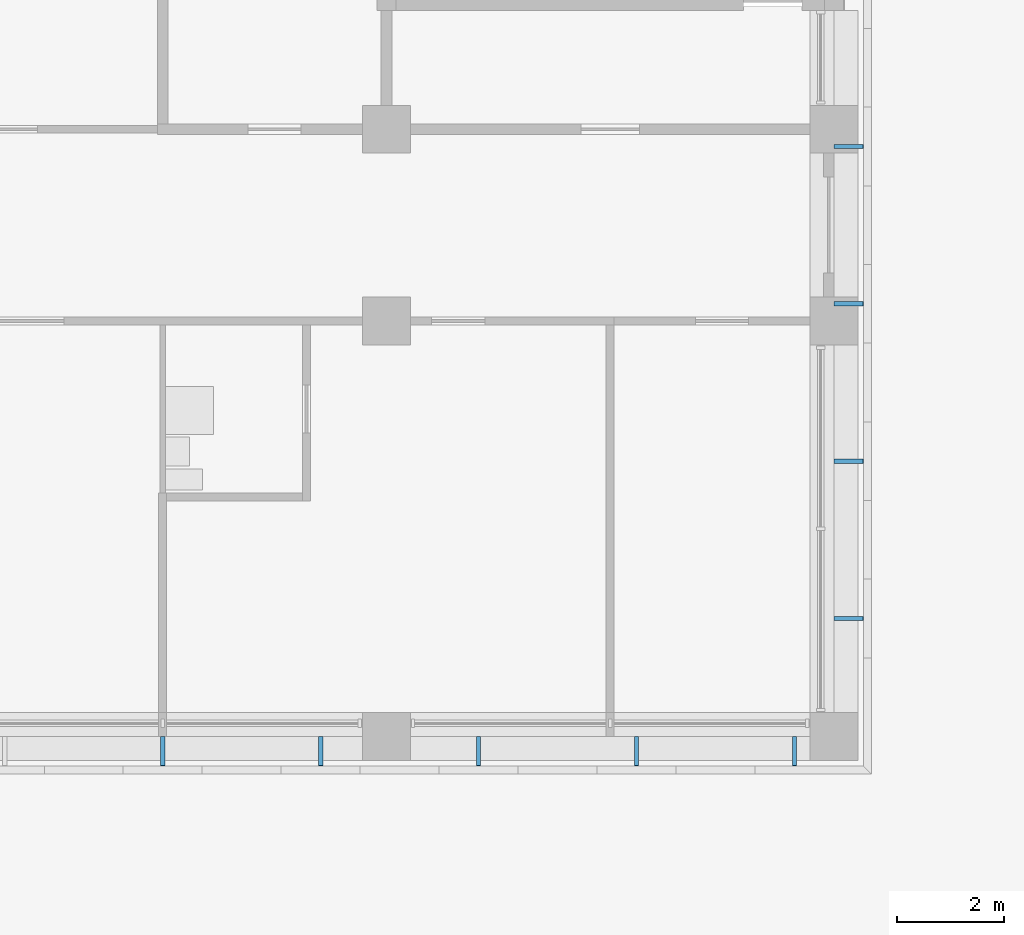
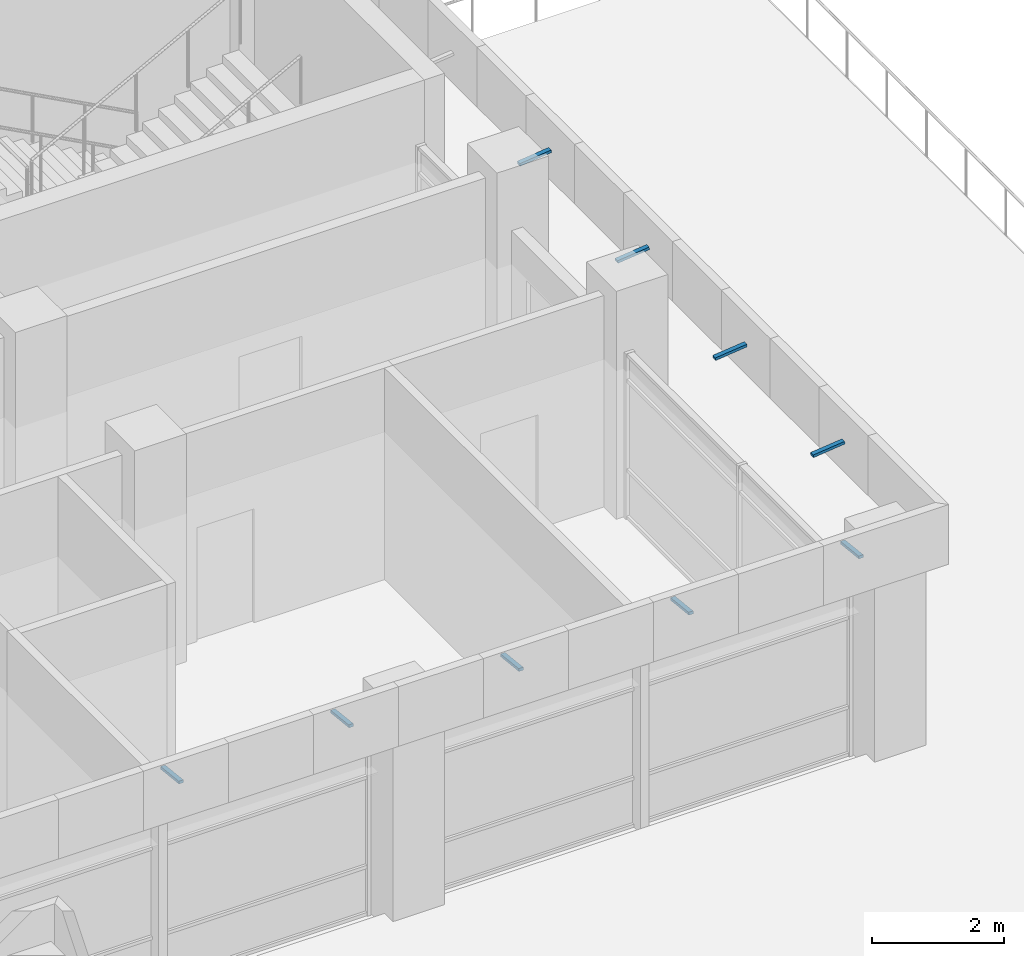
# One storey, part 109 of 137: 9 discrete accessories.
"""IFC4 building model written with IfcOpenShell, lengths in metres."""

from ifc_helpers import new_model, si_unit, direction, frame, origin, origin_2d, place, context, subcontext, project, spatial, rectangle, extrude, material, material_profile, profile_set, type_object, element, save


model = new_model("IFC4")

# Units and contexts
model_context = context("Model", 3, precision=1e-05, world=origin(), true_north=direction((0.0, 1.0)))
body_context = subcontext(model_context, "Body", "Model", "MODEL_VIEW")
ifc_project = project(units=[si_unit("LENGTHUNIT", "METRE"), si_unit("AREAUNIT", "SQUARE_METRE"), si_unit("VOLUMEUNIT", "CUBIC_METRE"), si_unit("PLANEANGLEUNIT", "RADIAN"), si_unit("MASSUNIT", "GRAM", prefix="KILO")], contexts=[model_context])

# Site, building, storey
site_placement = place(None, origin())
site = spatial("IfcSite", under=ifc_project, at=site_placement, CompositionType="ELEMENT")
building_placement = place(site_placement, origin())
building = spatial("IfcBuilding", under=site, at=building_placement, Name="Bougainvillea Quay General Hospital", CompositionType="ELEMENT")
storey_placement = place(building_placement, frame((0.0, 0.0, 16.800048828125)))
storey = spatial("IfcBuildingStorey", under=building, at=storey_placement, Name="L03", CompositionType="ELEMENT", Elevation=16.800048828125)

# Discrete accessories
ifc_material = material(Name="Stainless steel bracket, grade 316", Category="steel")
ifc_material_profile = material_profile(ifc_material, rectangle(XDim=0.080078125, YDim=0.050048828125, at=origin_2d()))
ifc_profile_set = profile_set([ifc_material_profile], Name="Stainless steel bracket, grade 316")
discrete_accessory_type = type_object("IfcDiscreteAccessoryType", Name="Stainless steel stand-off bracket 80x50", PredefinedType="BRACKET", material=ifc_profile_set)
for number, where, z_axis, x_axis, name in (
    (1, (172.199951171875, 140.39990234375, 4.139892578125), (0.0, -0.994086591779, 0.108590276011), (1.0, 0.0, 0.0), "Fascia bracket e0 31"),
    (2, (175.164794921875, 140.39990234375, 4.139892578125), (0.0, -0.994086591779, 0.108590276011), (1.0, 0.0, 0.0), "Fascia bracket e0 33"),
    (3, (178.12939453125, 140.39990234375, 4.139892578125), (0.0, -0.994086591779, 0.108590276011), (1.0, 0.0, 0.0), "Fascia bracket e0 35"),
    (4, (181.09423828125, 140.39990234375, 4.139892578125), (0.0, -0.994086591779, 0.108590276011), (1.0, 0.0, 0.0), "Fascia bracket e0 37"),
    (5, (184.058837890625, 140.39990234375, 4.139892578125), (0.0, -0.994086591779, 0.108590276011), (1.0, 0.0, 0.0), "Fascia bracket e0 39"),
):
    element("IfcDiscreteAccessory", number, at=place(storey_placement, frame(where, z_axis=z_axis, x_axis=x_axis)), inside=storey, type_object=discrete_accessory_type, Name=name, PredefinedType="BRACKET", context=body_context, shape_type="SweptSolid", body=[
        extrude(rectangle(XDim=0.080078125, YDim=0.050048828125, at=origin_2d()), origin(), (0.0, 0.0, 1.0), 0.552978515625),
    ])
for number, where, z_axis, x_axis, name in (
    (6, (184.800048828125, 142.615478515625, 4.139892578125), (0.994091793559, 0.0, 0.108542645901), (0.0, 1.0, 0.0), "Fascia bracket e0 41"),
    (7, (184.800048828125, 145.5693359375, 4.139892578125), (0.994091793559, 0.0, 0.108542645901), (0.0, 1.0, 0.0), "Fascia bracket e0 43"),
    (8, (184.800048828125, 148.523193359375, 4.139892578125), (0.994091793559, 0.0, 0.108542645901), (0.0, 1.0, 0.0), "Fascia bracket e0 45"),
    (9, (184.800048828125, 151.476806640625, 4.139892578125), (0.994091793559, 0.0, 0.108542645901), (0.0, 1.0, 0.0), "Fascia bracket e0 47"),
):
    element("IfcDiscreteAccessory", number, at=place(storey_placement, frame(where, z_axis=z_axis, x_axis=x_axis)), inside=storey, type_object=discrete_accessory_type, Name=name, PredefinedType="BRACKET", context=body_context, shape_type="SweptSolid", body=[
        extrude(rectangle(XDim=0.080078125, YDim=0.050048828125, at=origin_2d()), origin(), (0.0, 0.0, 1.0), 0.55322265625),
    ])

save(model, "model.ifc")
